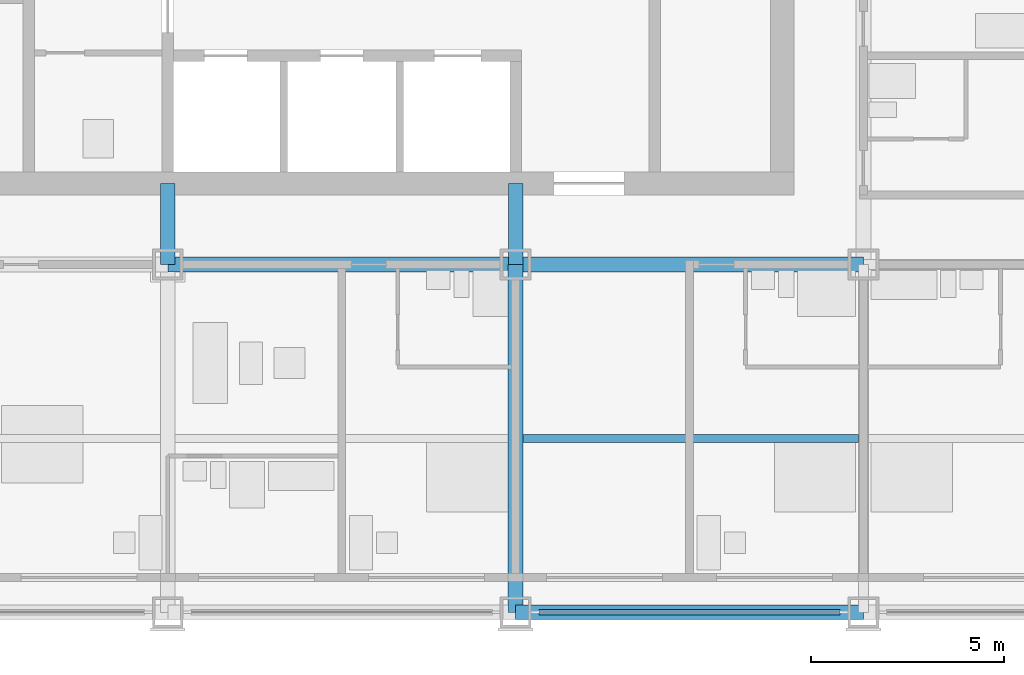
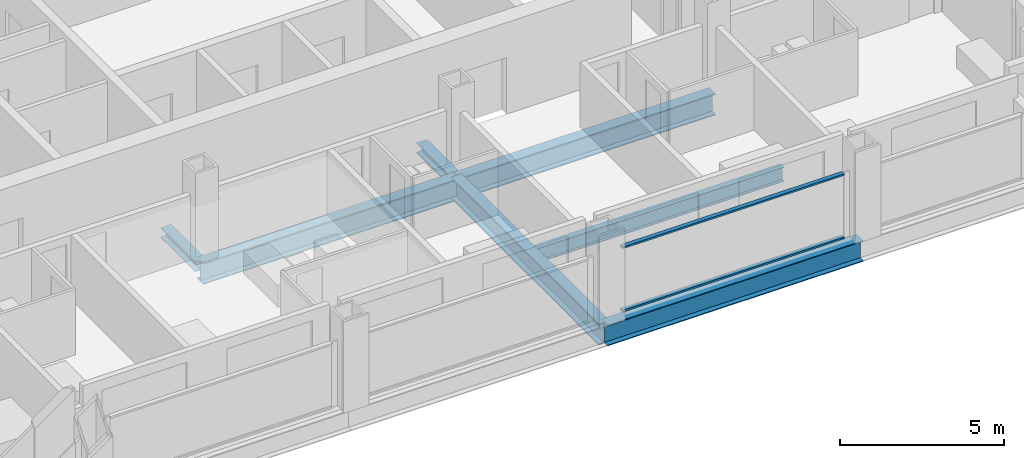
# One storey, part 3 of 16: 5 beams, 4 members, 1 element without a shape of its own.
"""IFC4 building model written with IfcOpenShell, lengths in metres."""

from ifc_helpers import new_model, si_unit, direction, frame, origin, origin_2d, place, context, subcontext, project, spatial, rectangle, i_section, extrude, material, material_profile, profile_set, type_object, element, aggregate, save


model = new_model("IFC4")

# Units and contexts
model_context = context("Model", 3, precision=1e-05, world=origin(), true_north=direction((0.0, 1.0)))
body_context = subcontext(model_context, "Body", "Model", "MODEL_VIEW")
ifc_project = project(units=[si_unit("LENGTHUNIT", "METRE"), si_unit("AREAUNIT", "SQUARE_METRE"), si_unit("VOLUMEUNIT", "CUBIC_METRE"), si_unit("PLANEANGLEUNIT", "RADIAN"), si_unit("MASSUNIT", "GRAM", prefix="KILO")], contexts=[model_context])

# Site, building, storey
site_placement = place(None, origin())
site = spatial("IfcSite", under=ifc_project, at=site_placement, CompositionType="ELEMENT")
building_placement = place(site_placement, origin())
building = spatial("IfcBuilding", under=site, at=building_placement, Name="Loomwork Tower", CompositionType="ELEMENT")
storey_placement = place(building_placement, frame((0.0, 0.0, 118.0)))
storey = spatial("IfcBuildingStorey", under=building, at=storey_placement, Name="L31", CompositionType="ELEMENT", Elevation=118.0)

# Beams
ifc_material_1 = material(Name="Steel ASTM A992", Category="steel")
ifc_material_profile_1 = material_profile(ifc_material_1, i_section(OverallWidth=0.383544921875, OverallDepth=0.794921875, WebThickness=0.02099609375, FlangeThickness=0.0380859375, at=origin_2d()), Name="W30x235")
ifc_profile_set_1 = profile_set([ifc_material_profile_1], Name="Steel ASTM A992")
beam_type_1 = type_object("IfcBeamType", Name="CORE FLANK GIRDER W30x235", PredefinedType="BEAM", material=ifc_profile_set_1)
for number, where, z_axis, x_axis, name in (
    (1, (18.0, 9.0, -0.597412109375), (1.0, 0.0, 0.0), (0.0, 1.0, 0.0), "Core Flank Girder E/4-E/5 L31"),
    (2, (27.0, 9.0, -0.597412109375), (1.0, 0.0, 0.0), (0.0, 1.0, 0.0), "Core Flank Girder E/5-E/6 L31"),
    (3, (27.0, 0.0, -0.597412109375), (0.0, 1.0, 0.0), (-1.0, 0.0, 0.0), "Core Flank Girder D/5-E/5 L31"),
):
    element("IfcBeam", number, at=place(storey_placement, frame(where, z_axis=z_axis, x_axis=x_axis)), inside=storey, type_object=beam_type_1, Name=name, PredefinedType="BEAM", context=body_context, shape_type="SweptSolid", body=[
        extrude(i_section(OverallWidth=0.383544921875, OverallDepth=0.794921875, WebThickness=0.02099609375, FlangeThickness=0.0380859375, at=origin_2d()), origin(), (0.0, 0.0, 1.0), 9.0),
    ])

# Members
ifc_material_2 = material(Name="Steel ASTM A992", Category="steel")
ifc_material_profile_2 = material_profile(ifc_material_2, i_section(OverallWidth=0.373291015625, OverallDepth=0.373291015625, WebThickness=0.016357421875, FlangeThickness=0.026123046875, at=origin_2d()), Name="W14x132")
ifc_profile_set_2 = profile_set([ifc_material_profile_2], Name="Steel ASTM A992")
member_type_1 = type_object("IfcMemberType", Name="CORE LINK STRUT W14x132", PredefinedType="STRUT", material=ifc_profile_set_2)
for number, where, z_axis, x_axis, name in (
    (4, (27.0, 9.0, -0.38671875), (0.0, 1.0, 0.0), (-1.0, 0.0, 0.0), "Core link strut E/5-27.000,11.100 L31"),
    (5, (18.0, 9.0, -0.38671875), (0.0, 1.0, 0.0), (-1.0, 0.0, 0.0), "Core link strut E/4-18.000,11.100 L31"),
):
    element("IfcMember", number, at=place(storey_placement, frame(where, z_axis=z_axis, x_axis=x_axis)), inside=storey, type_object=member_type_1, Name=name, PredefinedType="STRUT", context=body_context, shape_type="SweptSolid", body=[
        extrude(i_section(OverallWidth=0.373291015625, OverallDepth=0.373291015625, WebThickness=0.016357421875, FlangeThickness=0.026123046875, at=origin_2d()), origin(), (0.0, 0.0, 1.0), 2.10009765625),
    ])

# Beam
ifc_material_3 = material(Name="Steel ASTM A992", Category="steel")
ifc_material_profile_3 = material_profile(ifc_material_3, i_section(OverallWidth=0.2109375, OverallDepth=0.53857421875, WebThickness=0.011474609375, FlangeThickness=0.018798828125, at=origin_2d()), Name="W21x73")
ifc_profile_set_3 = profile_set([ifc_material_profile_3], Name="Steel ASTM A992")
beam_type_2 = type_object("IfcBeamType", Name="FLOOR JOIST W21x73", PredefinedType="JOIST", material=ifc_profile_set_3)
beam_1_placement = place(storey_placement, frame((27.19091796875, 4.5, -0.46923828125), z_axis=(1.0, 0.0, 0.0), x_axis=(0.0, 1.0, 0.0)))
element("IfcBeam", 6, at=beam_1_placement, inside=storey, type_object=beam_type_2, Name="Floor Joist 27.000,4.500-36.000,4.500 L31", PredefinedType="JOIST", context=body_context, shape_type="SweptSolid", body=[
    extrude(i_section(OverallWidth=0.2109375, OverallDepth=0.53857421875, WebThickness=0.011474609375, FlangeThickness=0.018798828125, at=origin_2d()), origin(), (0.0, 0.0, 1.0), 8.676025390625),
])

# Curtain wall, members
ifc_material_4 = material(Name="Aluminium curtain wall frame", Category="aluminium")
curtain_wall_type = type_object("IfcCurtainWallType", Name="Outer skin glazing hotel", PredefinedType="NOTDEFINED", material=ifc_material_4)
curtain_wall_placement = place(storey_placement, origin())
curtain_wall = element("IfcCurtainWall", 7, at=curtain_wall_placement, inside=storey, type_object=curtain_wall_type, Name="Outer skin glazing hotel cw/S-27", PredefinedType="NOTDEFINED")
ifc_material_5 = material(Name="Aluminium curtain wall frame", Category="aluminium")
ifc_material_profile_4 = material_profile(ifc_material_5, rectangle(XDim=0.14990234375, YDim=0.06494140625, at=origin_2d()), Name="AL 65x150")
ifc_profile_set_4 = profile_set([ifc_material_profile_4], Name="Aluminium curtain wall frame")
member_type_2 = type_object("IfcMemberType", Name="Outer skin glazing hotel transom", PredefinedType="USERDEFINED", material=ifc_profile_set_4)
member_1_placement = place(storey_placement, frame((27.60009765625, 0.0, 0.032470703125), z_axis=(1.0, 0.0, 0.0), x_axis=(0.0, 1.0, 0.0)))
member_1 = element("IfcMember", 8, at=member_1_placement, type_object=member_type_2, Name="CW1 transom 1.1", ObjectType="TRANSOM", PredefinedType="USERDEFINED", context=body_context, shape_type="SweptSolid", body=[
    extrude(rectangle(XDim=0.14990234375, YDim=0.06494140625, at=origin_2d()), origin(), (0.0, 0.0, 1.0), 7.7998046875),
])
member_2_placement = place(storey_placement, frame((27.60009765625, 0.0, 2.3876953125), z_axis=(1.0, 0.0, 0.0), x_axis=(0.0, 1.0, 0.0)))
member_2 = element("IfcMember", 9, at=member_2_placement, type_object=member_type_2, Name="CW1 transom 1.2", ObjectType="TRANSOM", PredefinedType="USERDEFINED", context=body_context, shape_type="SweptSolid", body=[
    extrude(rectangle(XDim=0.14990234375, YDim=0.06494140625, at=origin_2d()), origin(), (0.0, 0.0, 1.0), 7.7998046875),
])
aggregate(curtain_wall, [member_1, member_2])

# Beam
ifc_material_6 = material(Name="Steel ASTM A992", Category="steel")
ifc_material_profile_5 = material_profile(ifc_material_6, i_section(OverallWidth=0.381103515625, OverallDepth=0.77978515625, WebThickness=0.01806640625, FlangeThickness=0.0302734375, at=origin_2d()), Name="W30x191")
ifc_profile_set_5 = profile_set([ifc_material_profile_5], Name="Steel ASTM A992")
beam_type_3 = type_object("IfcBeamType", Name="SPANDREL GIRDER W30x191", PredefinedType="SPANDREL", material=ifc_profile_set_5)
beam_2_placement = place(storey_placement, frame((27.0, 0.0, -0.58984375), z_axis=(1.0, 0.0, 0.0), x_axis=(0.0, 1.0, 0.0)))
element("IfcBeam", 10, at=beam_2_placement, inside=storey, type_object=beam_type_3, Name="Spandrel Girder D/5-D/6 L31", PredefinedType="SPANDREL", context=body_context, shape_type="SweptSolid", body=[
    extrude(i_section(OverallWidth=0.381103515625, OverallDepth=0.77978515625, WebThickness=0.01806640625, FlangeThickness=0.0302734375, at=origin_2d()), origin(), (0.0, 0.0, 1.0), 9.0),
])

save(model, "model.ifc")
